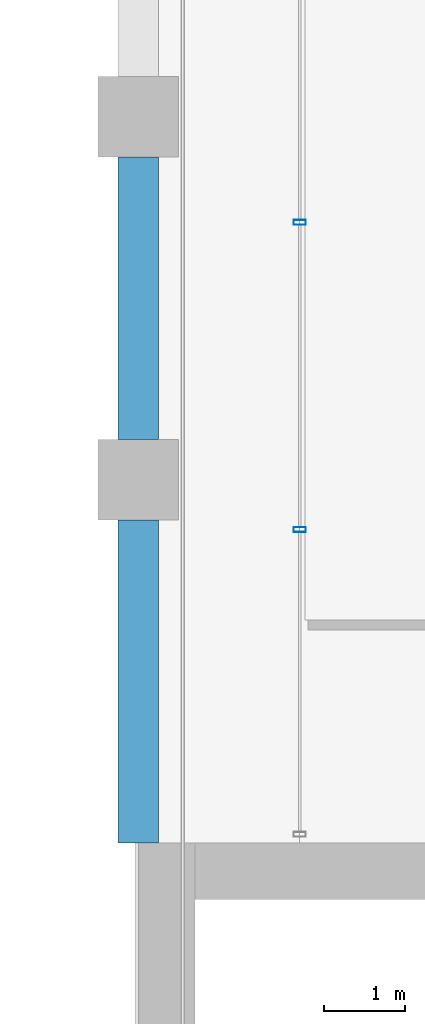
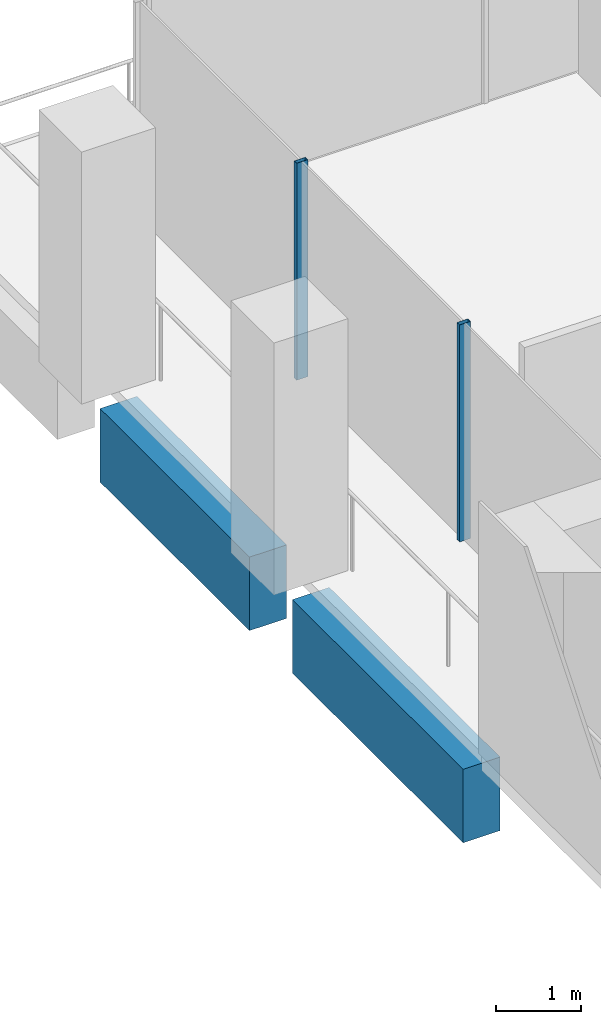
# One storey, part 20 of 46: 2 beams, 2 members, 1 element without a shape of its own.
"""IFC4 building model written with IfcOpenShell, lengths in metres."""

from ifc_helpers import new_model, si_unit, direction, frame, origin, origin_2d, place, context, subcontext, project, spatial, rectangle, hollow_rectangle, extrude, material, material_profile, profile_set, type_object, element, aggregate, save


model = new_model("IFC4")

# Units and contexts
model_context = context("Model", 3, precision=1e-05, world=origin(), true_north=direction((0.0, 1.0)))
body_context = subcontext(model_context, "Body", "Model", "MODEL_VIEW")
ifc_project = project(units=[si_unit("LENGTHUNIT", "METRE"), si_unit("AREAUNIT", "SQUARE_METRE"), si_unit("VOLUMEUNIT", "CUBIC_METRE"), si_unit("PLANEANGLEUNIT", "RADIAN"), si_unit("MASSUNIT", "GRAM", prefix="KILO")], contexts=[model_context])

# Site, building, storey
site_placement = place(None, origin())
site = spatial("IfcSite", under=ifc_project, at=site_placement, CompositionType="ELEMENT")
building_placement = place(site_placement, origin())
building = spatial("IfcBuilding", under=site, at=building_placement, Name="Altepetl Exchange Towers", CompositionType="ELEMENT")
storey_placement = place(building_placement, frame((0.0, 0.0, 106.39990234375)))
storey = spatial("IfcBuildingStorey", under=building, at=storey_placement, Name="L26", CompositionType="ELEMENT", Elevation=106.39990234375)

# Curtain wall, members
ifc_material_1 = material(Name="Aluminium 6063-T6 glazing", Category="aluminium")
curtain_wall_type = type_object("IfcCurtainWallType", Name="Loggia glazing system", PredefinedType="NOTDEFINED", material=ifc_material_1)
curtain_wall_placement = place(storey_placement, origin())
curtain_wall = element("IfcCurtainWall", 1, at=curtain_wall_placement, inside=storey, type_object=curtain_wall_type, Name="CW1 run", PredefinedType="NOTDEFINED")
ifc_material_2 = material(Name="Aluminium 6063-T6", Category="aluminium")
ifc_material_profile_1 = material_profile(ifc_material_2, hollow_rectangle(XDim=0.06005859375, YDim=0.14990234375, WallThickness=0.0029296875, at=origin_2d()), Name="Mullion 60x150 aluminium")
ifc_profile_set_1 = profile_set([ifc_material_profile_1], Name="Aluminium 6063-T6")
member_type = type_object("IfcMemberType", Name="Mullion 60x150 aluminium", PredefinedType="MULLION", material=ifc_profile_set_1)
member_1_placement = place(storey_placement, frame((42.5, 66.191650390625, 0.0), z_axis=(0.0, 0.0, 1.0), x_axis=(0.0, -1.0, 0.0)))
member_1 = element("IfcMember", 2, at=member_1_placement, type_object=member_type, Name="MU1 mullion", PredefinedType="MULLION", context=body_context, shape_type="SweptSolid", body=[
    extrude(hollow_rectangle(XDim=0.06005859375, YDim=0.14990234375, WallThickness=0.0029296875, at=origin_2d()), origin(), (0.0, 0.0, 1.0), 3.10009765625),
])
member_2_placement = place(storey_placement, frame((42.5, 62.38330078125, 0.0), z_axis=(0.0, 0.0, 1.0), x_axis=(0.0, -1.0, 0.0)))
member_2 = element("IfcMember", 3, at=member_2_placement, type_object=member_type, Name="MU1 mullion", PredefinedType="MULLION", context=body_context, shape_type="SweptSolid", body=[
    extrude(hollow_rectangle(XDim=0.06005859375, YDim=0.14990234375, WallThickness=0.0029296875, at=origin_2d()), origin(), (0.0, 0.0, 1.0), 3.10009765625),
])
aggregate(curtain_wall, [member_1, member_2])

# Beams
ifc_material_3 = material(Name="Concrete C50/60 precast with tezontle facing", Category="concrete")
ifc_material_profile_2 = material_profile(ifc_material_3, rectangle(XDim=0.5, YDim=1.050048828125, at=origin_2d()), Name="500 x 1050")
ifc_profile_set_2 = profile_set([ifc_material_profile_2], Name="Concrete C50/60 precast with tezontle facing")
beam_type = type_object("IfcBeamType", Name="Spandrel beam 500x1050 tezontle", PredefinedType="SPANDREL", material=ifc_profile_set_2)
beam_1_placement = place(storey_placement, frame((40.5, 67.0, -0.6748046875), z_axis=(0.0, -1.0, 0.0), x_axis=(1.0, 0.0, 0.0)))
element("IfcBeam", 4, at=beam_1_placement, inside=storey, type_object=beam_type, Name="sp:A:L26:031", PredefinedType="SPANDREL", context=body_context, shape_type="SweptSolid", body=[
    extrude(rectangle(XDim=0.5, YDim=1.050048828125, at=origin_2d()), origin(), (0.0, 0.0, 1.0), 3.5),
])
beam_2_placement = place(storey_placement, frame((40.5, 62.5, -0.6748046875), z_axis=(0.0, -1.0, 0.0), x_axis=(1.0, 0.0, 0.0)))
element("IfcBeam", 5, at=beam_2_placement, inside=storey, type_object=beam_type, Name="sp:A:L26:032", PredefinedType="SPANDREL", context=body_context, shape_type="SweptSolid", body=[
    extrude(rectangle(XDim=0.5, YDim=1.050048828125, at=origin_2d()), origin(), (0.0, 0.0, 1.0), 4.0),
])

save(model, "model.ifc")
